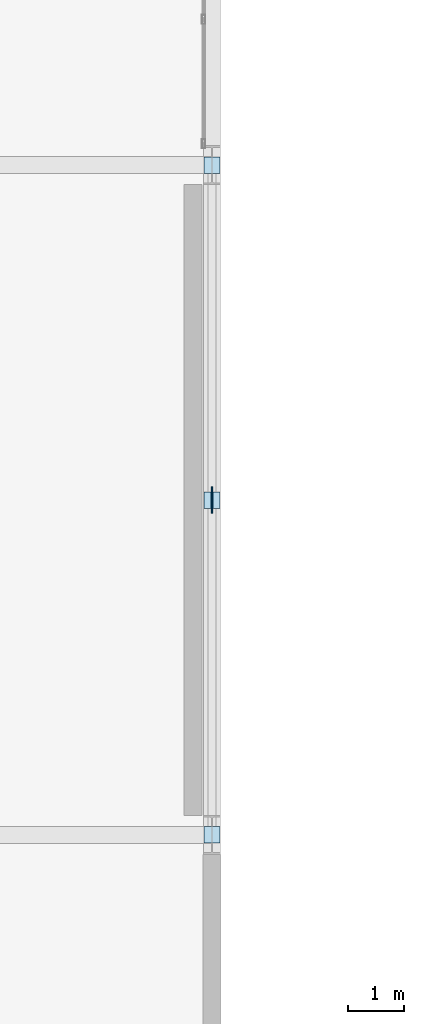
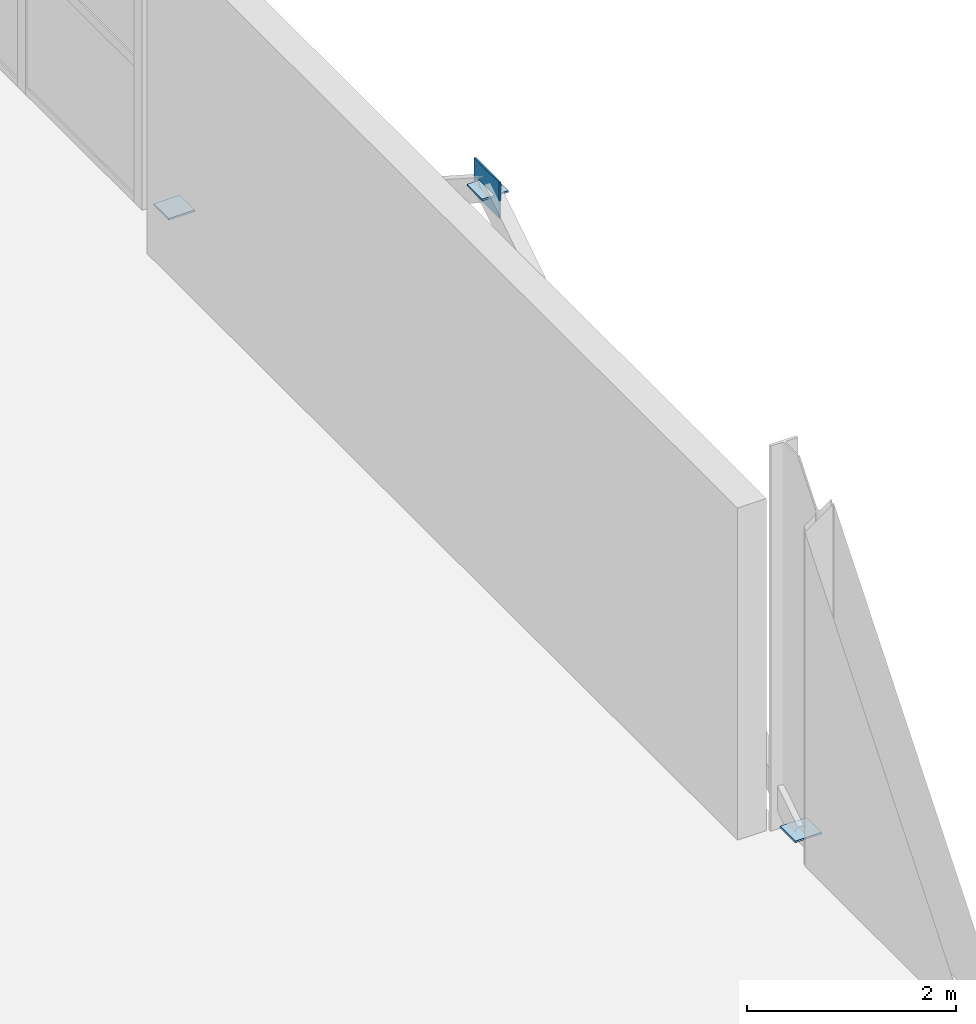
# One storey, part 96 of 113: 4 plates.
"""IFC4 building model written with IfcOpenShell, lengths in metres."""

import ifcopenshell
import ifcopenshell.guid

model = None  # the IFC model being written
_history = None  # IfcOwnerHistory: only IFC2X3 demands one
_inside = {}  # id of a spatial element -> (the spatial element, [elements in it])
_under = {}  # id of a project, library or spatial element -> (it, [spatial elements below it])
_declared = {}  # id of a project -> (the project, [libraries it declares])
_typed = {}  # id of a type object -> (the type object, [elements of that type])
_made_of = {}  # id of a material, layer set ... -> (it, [elements and type objects made of it])


def new_model(schema):
    """Start an empty IFC model of exactly this schema.

    Asked for "IFC4X3", IfcOpenShell would pick the latest addendum, in which some entities
    have other attributes; the version numbers below select the first issue.
    IFC2X3 requires an IfcOwnerHistory on every rooted entity: one is made here for all.
    """
    global model, _history
    if schema == "IFC4X3":
        model = ifcopenshell.file(schema_version=(4, 3, 0, 0))
    else:
        model = ifcopenshell.file(schema=schema)
    _inside.clear()
    _under.clear()
    _declared.clear()
    _typed.clear()
    _made_of.clear()
    _history = None
    if model.schema == "IFC2X3":
        org = make("IfcOrganization", Name="unknown")
        user = make(
            "IfcPersonAndOrganization",
            ThePerson=make("IfcPerson", FamilyName="unknown"),
            TheOrganization=org,
        )
        app = make(
            "IfcApplication",
            ApplicationDeveloper=org,
            Version="unknown",
            ApplicationFullName="unknown",
            ApplicationIdentifier="unknown",
        )
        _history = make(
            "IfcOwnerHistory",
            OwningUser=user,
            OwningApplication=app,
            ChangeAction="ADDED",
            CreationDate=0,
        )
    return model


def make(cls, **values):
    """One entity of the class cls with the attributes given. An attribute that is None is left unset."""
    return model.create_entity(
        cls, **{name: value for name, value in values.items() if value is not None}
    )


def rooted(cls, **values):
    """An entity with a GlobalId (a new one), such as an element, a storey or a relation."""
    return make(cls, GlobalId=ifcopenshell.guid.new(), OwnerHistory=_history, **values)


def si_unit(unit_type, name, prefix=None):
    """IfcSIUnit, for example si_unit("LENGTHUNIT", "METRE", prefix="MILLI")."""
    return make("IfcSIUnit", UnitType=unit_type, Prefix=prefix, Name=name)


def assignment(units):
    """IfcUnitAssignment: the units of a project."""
    return None if units is None else make("IfcUnitAssignment", Units=units)


def point(xyz):
    """IfcCartesianPoint."""
    return None if xyz is None else make("IfcCartesianPoint", Coordinates=xyz)


def direction(xyz):
    """IfcDirection."""
    return None if xyz is None else make("IfcDirection", DirectionRatios=xyz)


def frame(location, z_axis=None, x_axis=None):
    """IfcAxis2Placement3D, a coordinate frame: its origin and axes. An axis left out is left unset."""
    return make(
        "IfcAxis2Placement3D",
        Location=point(location),
        Axis=direction(z_axis),
        RefDirection=direction(x_axis),
    )


def frame_2d(location, x_axis=None):
    """IfcAxis2Placement2D, a coordinate frame in the plane: its origin and x axis."""
    return make(
        "IfcAxis2Placement2D", Location=point(location), RefDirection=direction(x_axis)
    )


def origin():
    """The frame at (0, 0, 0) with its axes left unset."""
    return frame((0.0, 0.0, 0.0))


def origin_2d():
    """The frame at (0, 0) in the plane with its x axis left unset."""
    return frame_2d((0.0, 0.0))


def place(relative_to, where):
    """IfcLocalPlacement: puts the frame where relative to a parent placement (None: the world)."""
    return make(
        "IfcLocalPlacement", PlacementRelTo=relative_to, RelativePlacement=where
    )


def context(
    kind, dimensions, precision=None, world=None, true_north=None, identifier=None
):
    """IfcGeometricRepresentationContext, for example the 3D "Model" context."""
    return make(
        "IfcGeometricRepresentationContext",
        ContextIdentifier=identifier,
        ContextType=kind,
        CoordinateSpaceDimension=dimensions,
        Precision=precision,
        WorldCoordinateSystem=world,
        TrueNorth=true_north,
    )


def subcontext(parent, identifier, kind, view, scale=None):
    """IfcGeometricRepresentationSubContext, for example "Body" below "Model"."""
    return make(
        "IfcGeometricRepresentationSubContext",
        ContextIdentifier=identifier,
        ContextType=kind,
        ParentContext=parent,
        TargetScale=scale,
        TargetView=view,
    )


def project(units=None, contexts=None):
    """IfcProject with its units and contexts."""
    return rooted(
        "IfcProject",
        Name="project",
        RepresentationContexts=contexts,
        UnitsInContext=assignment(units),
    )


def spatial(cls, under=None, at=None, **own):
    """A site, building, storey or space (cls), placed at a placement, below another one or the project."""
    s = rooted(cls, ObjectPlacement=at, **own)
    if under is not None:
        _under.setdefault(under.id(), (under, []))[1].append(s)
    return s


def profile(cls, at=None, kind="AREA", **sizes):
    """A parametric profile (cls). Its sizes go by their IFC names, for example OverallWidth=200.0."""
    return make(cls, ProfileType=kind, Position=at, **sizes)


def rectangle(**sizes):
    """IfcRectangleProfileDef."""
    return profile("IfcRectangleProfileDef", **sizes)


def extrude(swept, where, along, depth):
    """IfcExtrudedAreaSolid: the profile swept, set in the frame where, extruded along a direction by depth."""
    return make(
        "IfcExtrudedAreaSolid",
        SweptArea=swept,
        Position=where,
        ExtrudedDirection=direction(along),
        Depth=depth,
    )


def shape(context_of_items, identifier, shape_type, items):
    """IfcShapeRepresentation: the items that make up one representation, for example the "Body"."""
    return make(
        "IfcShapeRepresentation",
        ContextOfItems=context_of_items,
        RepresentationIdentifier=identifier,
        RepresentationType=shape_type,
        Items=items,
    )


def material(Name=None, Category=None):
    """IfcMaterial."""
    return make("IfcMaterial", Name=Name, Category=Category)


def layer(
    of_material, thickness, ventilated=None, Name=None, Category=None, Priority=None
):
    """IfcMaterialLayer: one layer of a wall or slab, of a material (None: an air gap)."""
    return make(
        "IfcMaterialLayer",
        Material=of_material,
        LayerThickness=thickness,
        IsVentilated=ventilated,
        Name=Name,
        Category=Category,
        Priority=Priority,
    )


def layer_set(layers, Name=None):
    """IfcMaterialLayerSet."""
    return make("IfcMaterialLayerSet", MaterialLayers=layers, LayerSetName=Name)


def made_of(thing, what):
    """Note that an element or type object is made of a material, layer set ...; save() writes the relation."""
    if what is not None:
        _made_of.setdefault(what.id(), (what, []))[1].append(thing)
    return thing


def type_object(cls, material=None, **own):
    """A type object (cls), such as IfcWallType, which elements share."""
    return made_of(rooted(cls, **own), material)


def element(
    cls,
    number,
    at=None,
    inside=None,
    cuts=None,
    type_object=None,
    material=None,
    context=None,
    identifier="Body",
    shape_type=None,
    held_by="IfcProductDefinitionShape",
    body=None,
    shapes=None,
    **own,
):
    """One element of the class cls, such as IfcWall. Its Tag is "e" and its number.

    at: its placement. inside: the storey or other place that contains it. cuts: it is an
    opening in that element (IfcRelVoidsElement). A single representation is given by context,
    identifier, shape_type and body (its items); several are given by shapes. held_by: the class
    of the entity that holds the representations. save() writes the other relations.
    """
    e = rooted(cls, Tag="e%d" % number, ObjectPlacement=at, **own)
    if body is not None:
        shapes = [shape(context, identifier, shape_type, body)]
    if shapes is not None:
        e.Representation = make(held_by, Representations=shapes)
    if inside is not None:
        _inside.setdefault(inside.id(), (inside, []))[1].append(e)
    if cuts is not None:
        rooted(
            "IfcRelVoidsElement", RelatingBuildingElement=cuts, RelatedOpeningElement=e
        )
    if type_object is not None:
        _typed.setdefault(type_object.id(), (type_object, []))[1].append(e)
    return made_of(e, material)


def aggregate(whole, parts):
    """IfcRelAggregates: a whole, such as a stair, and the parts it consists of."""
    return rooted("IfcRelAggregates", RelatingObject=whole, RelatedObjects=parts)


def save(model, path):
    """Write the relations noted so far, then the file.

    IfcRelAggregates (storeys below a building ...), IfcRelContainedInSpatialStructure (elements
    in a storey), IfcRelDefinesByType, IfcRelAssociatesMaterial and IfcRelDeclares: one each for
    every whole, place, type object, material and project.
    """
    for whole, parts in _under.values():
        aggregate(whole, parts)
    for where, things in _inside.values():
        rooted(
            "IfcRelContainedInSpatialStructure",
            RelatedElements=things,
            RelatingStructure=where,
        )
    for kind, things in _typed.values():
        rooted("IfcRelDefinesByType", RelatedObjects=things, RelatingType=kind)
    for what, things in _made_of.values():
        rooted("IfcRelAssociatesMaterial", RelatedObjects=things, RelatingMaterial=what)
    for by, libraries in _declared.values():
        rooted("IfcRelDeclares", RelatingContext=by, RelatedDefinitions=libraries)
    model.write(path)


model = new_model("IFC4")

# Units and contexts
model_context = context("Model", 3, precision=1e-05, world=origin(), true_north=direction((0.0, 1.0)))
body_context = subcontext(model_context, "Body", "Model", "MODEL_VIEW")
ifc_project = project(units=[si_unit("LENGTHUNIT", "METRE"), si_unit("AREAUNIT", "SQUARE_METRE"), si_unit("VOLUMEUNIT", "CUBIC_METRE"), si_unit("PLANEANGLEUNIT", "RADIAN"), si_unit("MASSUNIT", "GRAM", prefix="KILO")], contexts=[model_context])

# Site, building, storey
site_placement = place(None, origin())
site = spatial("IfcSite", under=ifc_project, at=site_placement, CompositionType="ELEMENT")
building_placement = place(site_placement, origin())
building = spatial("IfcBuilding", under=site, at=building_placement, Name="Veltarok Museum of Natural Sciences", CompositionType="ELEMENT")
storey_placement = place(building_placement, frame((0.0, 0.0, 8.39990234375)))
storey = spatial("IfcBuildingStorey", under=building, at=storey_placement, Name="L01", CompositionType="ELEMENT", Elevation=8.39990234375)

# Plates
ifc_material = material(Name="Steel S355J2", Category="steel")
ifc_layer_1 = layer(ifc_material, 0.02001953125)
ifc_layer_set_1 = layer_set([ifc_layer_1], Name="Steel S355J2")
plate_type_1 = type_object("IfcPlateType", Name="Hollow End Closure Plate D290x20", PredefinedType="USERDEFINED", material=ifc_layer_set_1)
for number, where, z_axis, x_axis, name in (
    (1, (98.800048828125, 36.00341796875, 0.142333984375), (0.0, 0.0, 1.0), (0.0, 1.0, 0.0), "End Cap Plate CP-273 447"),
    (2, (98.800048828125, 41.99658203125, 4.0078125), (0.0, 0.0, 1.0), (0.0, 1.0, 0.0), "End Cap Plate CP-273 448"),
    (3, (98.800048828125, 47.99658203125, 0.142333984375), (0.0, 0.0, 1.0), (0.0, 1.0, 0.0), "End Cap Plate CP-273 449"),
):
    element("IfcPlate", number, at=place(storey_placement, frame(where, z_axis=z_axis, x_axis=x_axis)), inside=storey, type_object=plate_type_1, Name=name, ObjectType="END CAP PLATE", PredefinedType="USERDEFINED", context=body_context, shape_type="SweptSolid", body=[
        extrude(rectangle(XDim=0.2900390625, YDim=0.2900390625, at=origin_2d()), origin(), (0.0, 0.0, 1.0), 0.02001953125),
    ])
ifc_layer_2 = layer(ifc_material, 0.02001953125)
ifc_layer_set_2 = layer_set([ifc_layer_2], Name="Steel S355J2")
plate_type_2 = type_object("IfcPlateType", Name="Lateral Brace Gusset Node Plate BN1", PredefinedType="USERDEFINED", material=ifc_layer_set_2)
plate_placement = place(storey_placement, frame((98.800048828125, 42.0, 3.81005859375), z_axis=(0.0, 0.0, 1.0), x_axis=(1.0, 0.0, 0.0)))
element("IfcPlate", 4, at=plate_placement, inside=storey, type_object=plate_type_2, Name="Lateral Brace Apex Node BN1 28", ObjectType="GUSSET PLATE", PredefinedType="USERDEFINED", context=body_context, shape_type="SweptSolid", body=[
    extrude(rectangle(XDim=0.02001953125, YDim=0.47998046875, at=origin_2d()), origin(), (0.0, 0.0, 1.0), 0.419921875),
])

save(model, "model.ifc")
